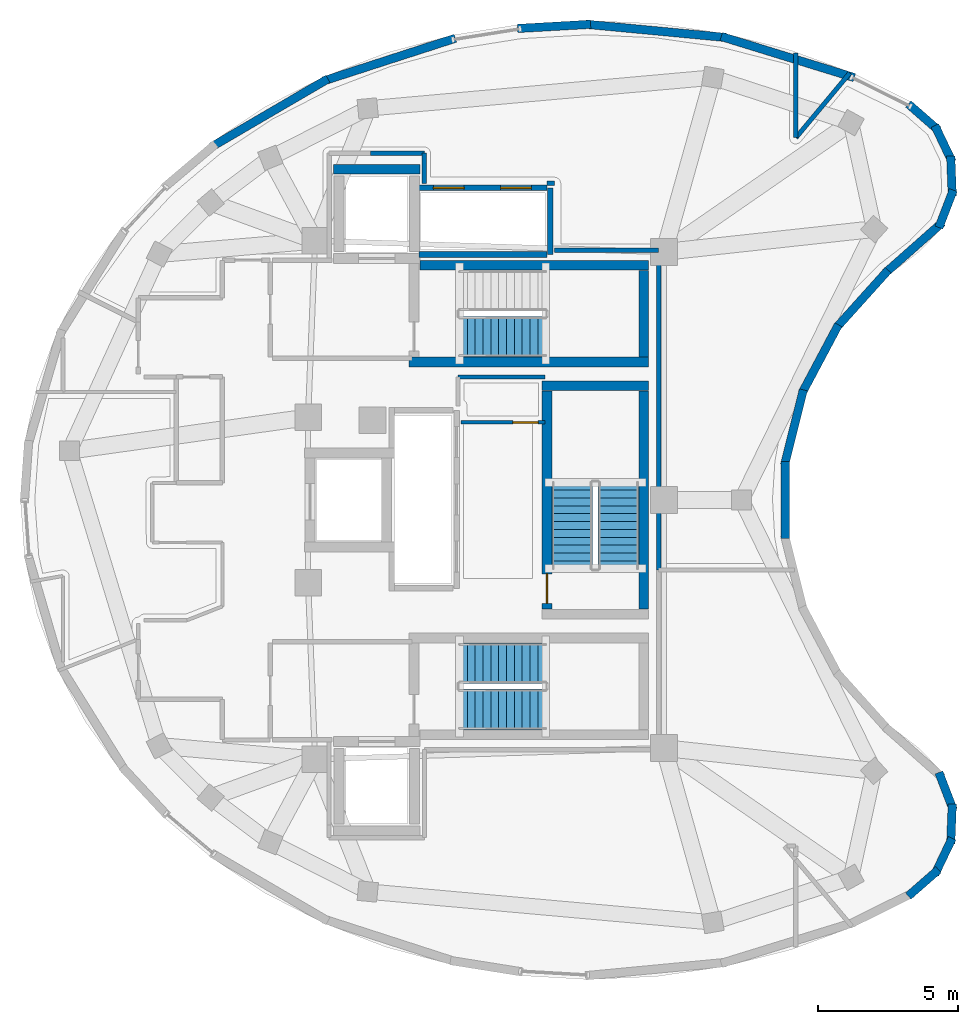
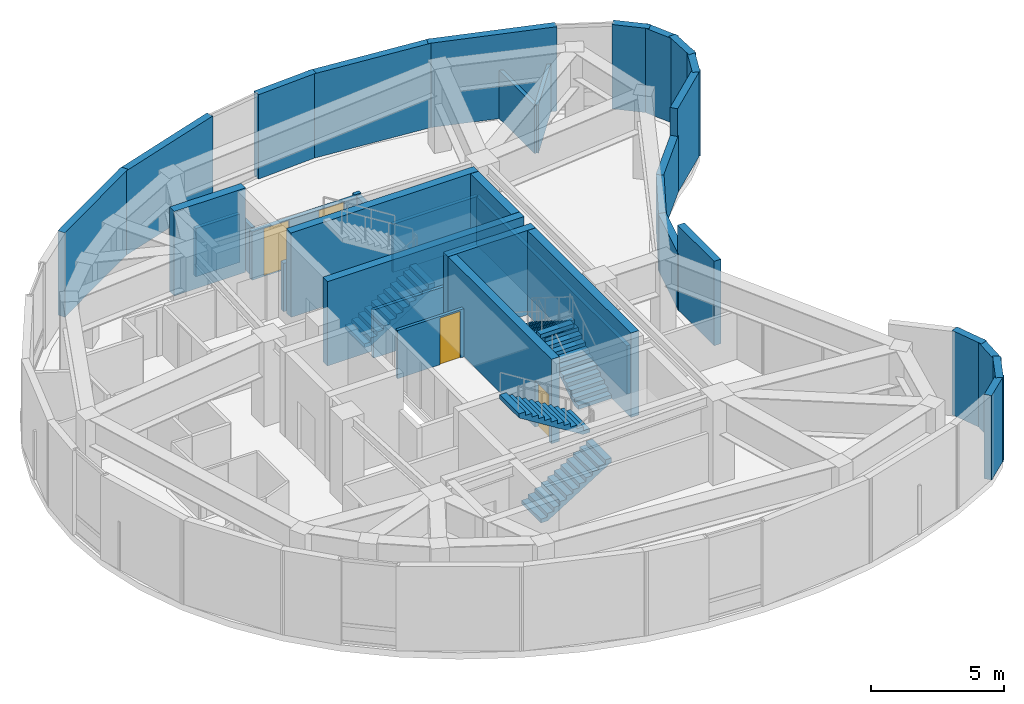
# One storey, part 5 of 8: 37 walls, 5 stair flights, 4 doors, 4 openings, 3 elements without a shape of their own.
"""IFC4 building model written with IfcOpenShell, lengths in metres."""

import ifcopenshell
import ifcopenshell.guid

model = None  # the IFC model being written
_history = None  # IfcOwnerHistory: only IFC2X3 demands one
_inside = {}  # id of a spatial element -> (the spatial element, [elements in it])
_under = {}  # id of a project, library or spatial element -> (it, [spatial elements below it])
_declared = {}  # id of a project -> (the project, [libraries it declares])
_typed = {}  # id of a type object -> (the type object, [elements of that type])
_made_of = {}  # id of a material, layer set ... -> (it, [elements and type objects made of it])


def new_model(schema):
    """Start an empty IFC model of exactly this schema.

    Asked for "IFC4X3", IfcOpenShell would pick the latest addendum, in which some entities
    have other attributes; the version numbers below select the first issue.
    IFC2X3 requires an IfcOwnerHistory on every rooted entity: one is made here for all.
    """
    global model, _history
    if schema == "IFC4X3":
        model = ifcopenshell.file(schema_version=(4, 3, 0, 0))
    else:
        model = ifcopenshell.file(schema=schema)
    _inside.clear()
    _under.clear()
    _declared.clear()
    _typed.clear()
    _made_of.clear()
    _history = None
    if model.schema == "IFC2X3":
        org = make("IfcOrganization", Name="unknown")
        user = make(
            "IfcPersonAndOrganization",
            ThePerson=make("IfcPerson", FamilyName="unknown"),
            TheOrganization=org,
        )
        app = make(
            "IfcApplication",
            ApplicationDeveloper=org,
            Version="unknown",
            ApplicationFullName="unknown",
            ApplicationIdentifier="unknown",
        )
        _history = make(
            "IfcOwnerHistory",
            OwningUser=user,
            OwningApplication=app,
            ChangeAction="ADDED",
            CreationDate=0,
        )
    return model


def make(cls, **values):
    """One entity of the class cls with the attributes given. An attribute that is None is left unset."""
    return model.create_entity(
        cls, **{name: value for name, value in values.items() if value is not None}
    )


def rooted(cls, **values):
    """An entity with a GlobalId (a new one), such as an element, a storey or a relation."""
    return make(cls, GlobalId=ifcopenshell.guid.new(), OwnerHistory=_history, **values)


def si_unit(unit_type, name, prefix=None):
    """IfcSIUnit, for example si_unit("LENGTHUNIT", "METRE", prefix="MILLI")."""
    return make("IfcSIUnit", UnitType=unit_type, Prefix=prefix, Name=name)


def assignment(units):
    """IfcUnitAssignment: the units of a project."""
    return None if units is None else make("IfcUnitAssignment", Units=units)


def point(xyz):
    """IfcCartesianPoint."""
    return None if xyz is None else make("IfcCartesianPoint", Coordinates=xyz)


def direction(xyz):
    """IfcDirection."""
    return None if xyz is None else make("IfcDirection", DirectionRatios=xyz)


def frame(location, z_axis=None, x_axis=None):
    """IfcAxis2Placement3D, a coordinate frame: its origin and axes. An axis left out is left unset."""
    return make(
        "IfcAxis2Placement3D",
        Location=point(location),
        Axis=direction(z_axis),
        RefDirection=direction(x_axis),
    )


def frame_2d(location, x_axis=None):
    """IfcAxis2Placement2D, a coordinate frame in the plane: its origin and x axis."""
    return make(
        "IfcAxis2Placement2D", Location=point(location), RefDirection=direction(x_axis)
    )


def origin():
    """The frame at (0, 0, 0) with its axes left unset."""
    return frame((0.0, 0.0, 0.0))


def place(relative_to, where):
    """IfcLocalPlacement: puts the frame where relative to a parent placement (None: the world)."""
    return make(
        "IfcLocalPlacement", PlacementRelTo=relative_to, RelativePlacement=where
    )


def context(
    kind, dimensions, precision=None, world=None, true_north=None, identifier=None
):
    """IfcGeometricRepresentationContext, for example the 3D "Model" context."""
    return make(
        "IfcGeometricRepresentationContext",
        ContextIdentifier=identifier,
        ContextType=kind,
        CoordinateSpaceDimension=dimensions,
        Precision=precision,
        WorldCoordinateSystem=world,
        TrueNorth=true_north,
    )


def subcontext(parent, identifier, kind, view, scale=None):
    """IfcGeometricRepresentationSubContext, for example "Body" below "Model"."""
    return make(
        "IfcGeometricRepresentationSubContext",
        ContextIdentifier=identifier,
        ContextType=kind,
        ParentContext=parent,
        TargetScale=scale,
        TargetView=view,
    )


def project(units=None, contexts=None):
    """IfcProject with its units and contexts."""
    return rooted(
        "IfcProject",
        Name="project",
        RepresentationContexts=contexts,
        UnitsInContext=assignment(units),
    )


def spatial(cls, under=None, at=None, **own):
    """A site, building, storey or space (cls), placed at a placement, below another one or the project."""
    s = rooted(cls, ObjectPlacement=at, **own)
    if under is not None:
        _under.setdefault(under.id(), (under, []))[1].append(s)
    return s


def polyline(points):
    """IfcPolyline through the points."""
    return make("IfcPolyline", Points=[point(p) for p in points])


def profile(cls, at=None, kind="AREA", **sizes):
    """A parametric profile (cls). Its sizes go by their IFC names, for example OverallWidth=200.0."""
    return make(cls, ProfileType=kind, Position=at, **sizes)


def rectangle(**sizes):
    """IfcRectangleProfileDef."""
    return profile("IfcRectangleProfileDef", **sizes)


def outline(outer, holes=None, kind="AREA"):
    """IfcArbitraryClosedProfileDef: a profile drawn as a closed curve; with holes, ...WithVoids."""
    if holes is None:
        return make("IfcArbitraryClosedProfileDef", ProfileType=kind, OuterCurve=outer)
    return make(
        "IfcArbitraryProfileDefWithVoids",
        ProfileType=kind,
        OuterCurve=outer,
        InnerCurves=holes,
    )


def extrude(swept, where, along, depth):
    """IfcExtrudedAreaSolid: the profile swept, set in the frame where, extruded along a direction by depth."""
    return make(
        "IfcExtrudedAreaSolid",
        SweptArea=swept,
        Position=where,
        ExtrudedDirection=direction(along),
        Depth=depth,
    )


def shape(context_of_items, identifier, shape_type, items):
    """IfcShapeRepresentation: the items that make up one representation, for example the "Body"."""
    return make(
        "IfcShapeRepresentation",
        ContextOfItems=context_of_items,
        RepresentationIdentifier=identifier,
        RepresentationType=shape_type,
        Items=items,
    )


def material(Name=None, Category=None):
    """IfcMaterial."""
    return make("IfcMaterial", Name=Name, Category=Category)


def layer(
    of_material, thickness, ventilated=None, Name=None, Category=None, Priority=None
):
    """IfcMaterialLayer: one layer of a wall or slab, of a material (None: an air gap)."""
    return make(
        "IfcMaterialLayer",
        Material=of_material,
        LayerThickness=thickness,
        IsVentilated=ventilated,
        Name=Name,
        Category=Category,
        Priority=Priority,
    )


def layer_set(layers, Name=None):
    """IfcMaterialLayerSet."""
    return make("IfcMaterialLayerSet", MaterialLayers=layers, LayerSetName=Name)


def made_of(thing, what):
    """Note that an element or type object is made of a material, layer set ...; save() writes the relation."""
    if what is not None:
        _made_of.setdefault(what.id(), (what, []))[1].append(thing)
    return thing


def type_object(cls, material=None, **own):
    """A type object (cls), such as IfcWallType, which elements share."""
    return made_of(rooted(cls, **own), material)


def element(
    cls,
    number,
    at=None,
    inside=None,
    cuts=None,
    type_object=None,
    material=None,
    context=None,
    identifier="Body",
    shape_type=None,
    held_by="IfcProductDefinitionShape",
    body=None,
    shapes=None,
    **own,
):
    """One element of the class cls, such as IfcWall. Its Tag is "e" and its number.

    at: its placement. inside: the storey or other place that contains it. cuts: it is an
    opening in that element (IfcRelVoidsElement). A single representation is given by context,
    identifier, shape_type and body (its items); several are given by shapes. held_by: the class
    of the entity that holds the representations. save() writes the other relations.
    """
    e = rooted(cls, Tag="e%d" % number, ObjectPlacement=at, **own)
    if body is not None:
        shapes = [shape(context, identifier, shape_type, body)]
    if shapes is not None:
        e.Representation = make(held_by, Representations=shapes)
    if inside is not None:
        _inside.setdefault(inside.id(), (inside, []))[1].append(e)
    if cuts is not None:
        rooted(
            "IfcRelVoidsElement", RelatingBuildingElement=cuts, RelatedOpeningElement=e
        )
    if type_object is not None:
        _typed.setdefault(type_object.id(), (type_object, []))[1].append(e)
    return made_of(e, material)


def fill(opening, filler):
    """IfcRelFillsElement: the door or window that sits in an opening."""
    return rooted(
        "IfcRelFillsElement",
        RelatingOpeningElement=opening,
        RelatedBuildingElement=filler,
    )


def aggregate(whole, parts):
    """IfcRelAggregates: a whole, such as a stair, and the parts it consists of."""
    return rooted("IfcRelAggregates", RelatingObject=whole, RelatedObjects=parts)


def save(model, path):
    """Write the relations noted so far, then the file.

    IfcRelAggregates (storeys below a building ...), IfcRelContainedInSpatialStructure (elements
    in a storey), IfcRelDefinesByType, IfcRelAssociatesMaterial and IfcRelDeclares: one each for
    every whole, place, type object, material and project.
    """
    for whole, parts in _under.values():
        aggregate(whole, parts)
    for where, things in _inside.values():
        rooted(
            "IfcRelContainedInSpatialStructure",
            RelatedElements=things,
            RelatingStructure=where,
        )
    for kind, things in _typed.values():
        rooted("IfcRelDefinesByType", RelatedObjects=things, RelatingType=kind)
    for what, things in _made_of.values():
        rooted("IfcRelAssociatesMaterial", RelatedObjects=things, RelatingMaterial=what)
    for by, libraries in _declared.values():
        rooted("IfcRelDeclares", RelatingContext=by, RelatedDefinitions=libraries)
    model.write(path)


model = new_model("IFC4")

# Units and contexts
model_context = context("Model", 3, precision=1e-05, world=origin(), true_north=direction((0.0, 1.0)))
body_context = subcontext(model_context, "Body", "Model", "MODEL_VIEW")
ifc_project = project(units=[si_unit("LENGTHUNIT", "METRE"), si_unit("AREAUNIT", "SQUARE_METRE"), si_unit("VOLUMEUNIT", "CUBIC_METRE"), si_unit("PLANEANGLEUNIT", "RADIAN"), si_unit("MASSUNIT", "GRAM", prefix="KILO")], contexts=[model_context])

# Site, building, storey
site_placement = place(None, origin())
site = spatial("IfcSite", under=ifc_project, at=site_placement, CompositionType="ELEMENT")
building_placement = place(site_placement, origin())
building = spatial("IfcBuilding", under=site, at=building_placement, Name="Korentha Bioscience Tower", CompositionType="ELEMENT")
storey_placement = place(building_placement, frame((0.0, 0.0, 331.199951171875)))
storey = spatial("IfcBuildingStorey", under=building, at=storey_placement, Name="L76", CompositionType="ELEMENT", Elevation=331.199951171875)

# Walls
ifc_material_1 = material(Name="Gypsum-Clad Steel Stud", Category="steel")
ifc_layer_1 = layer(ifc_material_1, 0.159912109375, Name="Gypsum-Clad Steel Stud")
ifc_layer_set_1 = layer_set([ifc_layer_1], Name="Gypsum-Clad Steel Stud (IW-C160)")
wall_type_1 = type_object("IfcWallType", Name="Fire-Rated Corridor Partition Wall 160", PredefinedType="PARTITIONING", material=ifc_layer_set_1)
wall_1_placement = place(storey_placement, frame((42.248046875, 42.947021484375, 0.0), z_axis=(0.0, 0.0, 1.0), x_axis=(0.0, -1.0, 0.0)))
element("IfcWall", 1, at=wall_1_placement, inside=storey, type_object=wall_type_1, Name="L76 Interior Partition 039", PredefinedType="PARTITIONING", context=body_context, shape_type="SweptSolid", body=[
    extrude(rectangle(XDim=3.019775390625, YDim=0.159912109375, at=frame_2d((1.509765625, 0.0))), origin(), (0.0, 0.0, 1.0), 2.219970703125),
])
wall_2_placement = place(storey_placement, frame((42.255126953125, 39.924560546875, 0.0), z_axis=(0.0, 0.0, 1.0), x_axis=(0.640088675133, 0.768301039936, 0.0)))
element("IfcWall", 2, at=wall_2_placement, inside=storey, type_object=wall_type_1, Name="L76 Interior Partition 040", PredefinedType="PARTITIONING", context=body_context, shape_type="SweptSolid", body=[
    extrude(rectangle(XDim=3.010498046875, YDim=0.159912109375, at=frame_2d((1.50537109375, 0.0))), origin(), (0.0, 0.0, 1.0), 2.219970703125),
])
wall_3_placement = place(storey_placement, frame((37.360107421875, 24.508056640625, 0.0), z_axis=(0.0, 0.0, 1.0), x_axis=(0.0, 1.0, 0.0)))
element("IfcWall", 3, at=wall_3_placement, inside=storey, type_object=wall_type_1, Name="L76 Interior Partition 041", PredefinedType="PARTITIONING", context=body_context, shape_type="SweptSolid", body=[
    extrude(rectangle(XDim=11.391845703125, YDim=0.159912109375, at=frame_2d((5.69580078125, 0.0))), origin(), (0.0, 0.0, 1.0), 2.219970703125),
])
wall_4_placement = place(storey_placement, frame((37.35009765625, 35.909912109375, 0.0), z_axis=(0.0, 0.0, 1.0), x_axis=(-1.0, 0.0, 0.0)))
element("IfcWall", 4, at=wall_4_placement, inside=storey, type_object=wall_type_1, Name="L76 Interior Partition 042", PredefinedType="PARTITIONING", context=body_context, shape_type="SweptSolid", body=[
    extrude(rectangle(XDim=3.7001953125, YDim=0.159912109375, at=frame_2d((1.85009765625, 0.0))), origin(), (0.0, 0.0, 1.0), 2.219970703125),
])
wall_5_placement = place(storey_placement, frame((33.639892578125, 38.300048828125, 0.0), z_axis=(0.0, 0.0, 1.0), x_axis=(-1.0, 0.0, 0.0)))
element("IfcWall", 5, at=wall_5_placement, inside=storey, type_object=wall_type_1, Name="L76 Interior Partition 043", PredefinedType="PARTITIONING", context=body_context, shape_type="SweptSolid", body=[
    extrude(rectangle(XDim=0.269775390625, YDim=0.159912109375, at=frame_2d((0.134765625, 0.0))), origin(), (0.0, 0.0, 1.0), 2.219970703125),
])
wall_6_placement = place(storey_placement, frame((29.0, 38.300048828125, 0.0), z_axis=(0.0, 0.0, 1.0), x_axis=(0.0, 1.0, 0.0)))
element("IfcWall", 6, at=wall_6_placement, inside=storey, type_object=wall_type_1, Name="L76 Interior Partition 044", PredefinedType="PARTITIONING", context=body_context, shape_type="SweptSolid", body=[
    extrude(rectangle(XDim=1.075927734375, YDim=0.159912109375, at=frame_2d((0.5380859375, 0.0))), origin(), (0.0, 0.0, 1.0), 2.219970703125),
])
wall_7_placement = place(storey_placement, frame((28.995849609375, 39.3798828125, 0.0), z_axis=(0.0, 0.0, 1.0), x_axis=(-1.0, 0.0, 0.0)))
element("IfcWall", 7, at=wall_7_placement, inside=storey, type_object=wall_type_1, Name="L76 Interior Partition 045", PredefinedType="PARTITIONING", context=body_context, shape_type="SweptSolid", body=[
    extrude(rectangle(XDim=1.917724609375, YDim=0.159912109375, at=frame_2d((0.958984375, 0.0))), origin(), (0.0, 0.0, 1.0), 2.219970703125),
])
ifc_material_2 = material(Name="Honed Limestone Precast Concrete C40", Category="masonry")
ifc_layer_2 = layer(ifc_material_2, 0.300048828125, Name="Honed Limestone Precast Concrete C40")
ifc_layer_set_2 = layer_set([ifc_layer_2], Name="Honed Limestone Precast Concrete C40 (EW-ST300)")
wall_type_2 = type_object("IfcWallType", Name="Honed Limestone Cavity Spandrel Wall 300", PredefinedType="STANDARD", material=ifc_layer_set_2)
wall_8_placement = place(storey_placement, frame((44.34130859375, 42.072509765625, 0.0), z_axis=(0.0, 0.0, 1.0), x_axis=(-0.9554928178, 0.295014364281, 0.0)))
element("IfcWall", 8, at=wall_8_placement, inside=storey, type_object=wall_type_2, Name="L76 Limestone Perimeter Closure Wall 02", PredefinedType="STANDARD", context=body_context, shape_type="SweptSolid", body=[
    extrude(rectangle(XDim=4.969482421875, YDim=0.300048828125, at=frame_2d((2.48486328125, 0.0))), origin(), (0.0, 0.0, 1.0), 3.880126953125),
])
wall_9_placement = place(storey_placement, frame((39.777099609375, 43.501953125, 0.0), z_axis=(0.0, 0.0, 1.0), x_axis=(-0.995548134252, 0.094254508581, 0.0)))
element("IfcWall", 9, at=wall_9_placement, inside=storey, type_object=wall_type_2, Name="L76 Limestone Perimeter Closure Wall 04", PredefinedType="STANDARD", context=body_context, shape_type="SweptSolid", body=[
    extrude(rectangle(XDim=5.04833984375, YDim=0.300048828125, at=frame_2d((2.524169921875, 0.0))), origin(), (0.0, 0.0, 1.0), 3.880126953125),
])
wall_10_placement = place(storey_placement, frame((34.931884765625, 43.974365234375, 0.0), z_axis=(0.0, 0.0, 1.0), x_axis=(-0.998377869866, -0.056935305061, 0.0)))
element("IfcWall", 10, at=wall_10_placement, inside=storey, type_object=wall_type_2, Name="L76 Limestone Perimeter Closure Wall 06", PredefinedType="STANDARD", context=body_context, shape_type="SweptSolid", body=[
    extrude(rectangle(XDim=2.611328125, YDim=0.300048828125, at=frame_2d((1.3056640625, 0.0))), origin(), (0.0, 0.0, 1.0), 3.880126953125),
])
wall_11_placement = place(storey_placement, frame((30.105712890625, 43.47705078125, 0.0), z_axis=(0.0, 0.0, 1.0), x_axis=(-0.951426715333, -0.307875308122, 0.0)))
element("IfcWall", 11, at=wall_11_placement, inside=storey, type_object=wall_type_2, Name="L76 Limestone Perimeter Closure Wall 08", PredefinedType="STANDARD", context=body_context, shape_type="SweptSolid", body=[
    extrude(rectangle(XDim=4.961669921875, YDim=0.300048828125, at=frame_2d((2.48095703125, 0.0))), origin(), (0.0, 0.0, 1.0), 3.880126953125),
])
wall_12_placement = place(storey_placement, frame((25.5576171875, 42.026611328125, 0.0), z_axis=(0.0, 0.0, 1.0), x_axis=(-0.863401501791, -0.504517439446, 0.0)))
element("IfcWall", 12, at=wall_12_placement, inside=storey, type_object=wall_type_2, Name="L76 Limestone Perimeter Closure Wall 10", PredefinedType="STANDARD", context=body_context, shape_type="SweptSolid", body=[
    extrude(rectangle(XDim=4.81298828125, YDim=0.300048828125, at=frame_2d((2.406494140625, 0.0))), origin(), (0.0, 0.0, 1.0), 3.880126953125),
])
for number, where, z_axis, x_axis, name in (
    (13, (46.266357421875, 12.867919921875, 0.0), (0.0, 0.0, 1.0), (0.753189451844, 0.657803655836, 0.0), "L76 Limestone Perimeter Closure Wall 37"),
    (14, (47.215087890625, 13.63916015625, 0.0), (0.0, 0.0, 1.0), (0.431377001438, 0.902171758941, 0.0), "L76 Limestone Perimeter Closure Wall 38"),
):
    element("IfcWall", number, at=place(storey_placement, frame(where, z_axis=z_axis, x_axis=x_axis)), inside=storey, type_object=wall_type_2, Name=name, PredefinedType="STANDARD", context=body_context, shape_type="SweptSolid", body=[
        extrude(rectangle(XDim=1.4306640625, YDim=0.300048828125, at=frame_2d((0.71533203125, 0.0))), origin(), (0.0, 0.0, 1.0), 3.880126953125),
    ])
wall_13_placement = place(storey_placement, frame((47.781005859375, 14.722900390625, 0.0), z_axis=(0.0, 0.0, 1.0), x_axis=(0.039416066668, 0.99922288489, 0.0)))
element("IfcWall", 15, at=wall_13_placement, inside=storey, type_object=wall_type_2, Name="L76 Limestone Perimeter Closure Wall 39", PredefinedType="STANDARD", context=body_context, shape_type="SweptSolid", body=[
    extrude(rectangle(XDim=1.430908203125, YDim=0.300048828125, at=frame_2d((0.71533203125, 0.0))), origin(), (0.0, 0.0, 1.0), 3.880126953125),
])
wall_14_placement = place(storey_placement, frame((47.872314453125, 15.942138671875, 0.0), z_axis=(0.0, 0.0, 1.0), x_axis=(-0.359207768044, 0.933257616833, 0.0)))
element("IfcWall", 16, at=wall_14_placement, inside=storey, type_object=wall_type_2, Name="L76 Limestone Perimeter Closure Wall 40", PredefinedType="STANDARD", context=body_context, shape_type="SweptSolid", body=[
    extrude(rectangle(XDim=1.4306640625, YDim=0.300048828125, at=frame_2d((0.71533203125, 0.0))), origin(), (0.0, 0.0, 1.0), 3.880126953125),
])
wall_15_placement = place(storey_placement, frame((41.86962890625, 25.620849609375, 0.0), z_axis=(0.0, 0.0, 1.0), x_axis=(0.0, 1.0, 0.0)))
element("IfcWall", 17, at=wall_15_placement, inside=storey, type_object=wall_type_2, Name="L76 Limestone Perimeter Closure Wall 49", PredefinedType="STANDARD", context=body_context, shape_type="SweptSolid", body=[
    extrude(rectangle(XDim=2.75830078125, YDim=0.300048828125, at=frame_2d((1.379150390625, 0.0))), origin(), (0.0, 0.0, 1.0), 3.880126953125),
])
wall_16_placement = place(storey_placement, frame((41.8544921875, 28.25537109375, 0.0), z_axis=(0.0, 0.0, 1.0), x_axis=(0.241973315743, 0.970282904347, 0.0)))
element("IfcWall", 18, at=wall_16_placement, inside=storey, type_object=wall_type_2, Name="L76 Limestone Perimeter Closure Wall 51", PredefinedType="STANDARD", context=body_context, shape_type="SweptSolid", body=[
    extrude(rectangle(XDim=2.758544921875, YDim=0.300048828125, at=frame_2d((1.37939453125, 0.0))), origin(), (0.0, 0.0, 1.0), 2.60498046875),
])
for number, where, z_axis, x_axis, name in (
    (19, (42.477294921875, 30.815673828125, 0.0), (0.0, 0.0, 1.0), (0.46944856532, 0.882959820444, 0.0), "L76 Limestone Perimeter Closure Wall 53"),
    (20, (43.70068359375, 33.149169921875, 0.0), (0.0, 0.0, 1.0), (0.669140756205, 0.743135686389, 0.0), "L76 Limestone Perimeter Closure Wall 55"),
):
    element("IfcWall", number, at=place(storey_placement, frame(where, z_axis=z_axis, x_axis=x_axis)), inside=storey, type_object=wall_type_2, Name=name, PredefinedType="STANDARD", context=body_context, shape_type="SweptSolid", body=[
        extrude(rectangle(XDim=2.75830078125, YDim=0.300048828125, at=frame_2d((1.379150390625, 0.0))), origin(), (0.0, 0.0, 1.0), 2.60498046875),
    ])
wall_17_placement = place(storey_placement, frame((45.4443359375, 35.09765625, 0.0), z_axis=(0.0, 0.0, 1.0), x_axis=(0.748663112281, 0.662950634897, 0.0)))
element("IfcWall", 21, at=wall_17_placement, inside=storey, type_object=wall_type_2, Name="L76 Limestone Perimeter Closure Wall 57", PredefinedType="STANDARD", context=body_context, shape_type="SweptSolid", body=[
    extrude(rectangle(XDim=2.725830078125, YDim=0.300048828125, at=frame_2d((1.36279296875, 0.0))), origin(), (0.0, 0.0, 1.0), 3.880126953125),
])
wall_18_placement = place(storey_placement, frame((47.3583984375, 36.72265625, 0.0), z_axis=(0.0, 0.0, 1.0), x_axis=(0.359207768044, 0.933257616833, 0.0)))
element("IfcWall", 22, at=wall_18_placement, inside=storey, type_object=wall_type_2, Name="L76 Limestone Perimeter Closure Wall 59", PredefinedType="STANDARD", context=body_context, shape_type="SweptSolid", body=[
    extrude(rectangle(XDim=1.4306640625, YDim=0.300048828125, at=frame_2d((0.71533203125, 0.0))), origin(), (0.0, 0.0, 1.0), 3.880126953125),
])
wall_19_placement = place(storey_placement, frame((47.83740234375, 37.847412109375, 0.0), z_axis=(0.0, 0.0, 1.0), x_axis=(-0.039416066668, 0.99922288489, 0.0)))
element("IfcWall", 23, at=wall_19_placement, inside=storey, type_object=wall_type_2, Name="L76 Limestone Perimeter Closure Wall 60", PredefinedType="STANDARD", context=body_context, shape_type="SweptSolid", body=[
    extrude(rectangle(XDim=1.430908203125, YDim=0.300048828125, at=frame_2d((0.71533203125, 0.0))), origin(), (0.0, 0.0, 1.0), 3.880126953125),
])
for number, where, z_axis, x_axis, name in (
    (24, (47.832275390625, 39.070068359375, 0.0), (0.0, 0.0, 1.0), (-0.431377001438, 0.902171758941, 0.0), "L76 Limestone Perimeter Closure Wall 61"),
    (25, (47.343994140625, 40.19091796875, 0.0), (0.0, 0.0, 1.0), (-0.753189451844, 0.657803655836, 0.0), "L76 Limestone Perimeter Closure Wall 62"),
):
    element("IfcWall", number, at=place(storey_placement, frame(where, z_axis=z_axis, x_axis=x_axis)), inside=storey, type_object=wall_type_2, Name=name, PredefinedType="STANDARD", context=body_context, shape_type="SweptSolid", body=[
        extrude(rectangle(XDim=1.4306640625, YDim=0.300048828125, at=frame_2d((0.71533203125, 0.0))), origin(), (0.0, 0.0, 1.0), 3.880126953125),
    ])
ifc_material_3 = material(Name="Autoclaved Aerated Concrete Block C25", Category="concrete")
ifc_layer_3 = layer(ifc_material_3, 0.199951171875, Name="Autoclaved Aerated Concrete Block C25")
ifc_layer_set_3 = layer_set([ifc_layer_3], Name="Autoclaved Aerated Concrete Block C25 (IW-S200)")
wall_type_3 = type_object("IfcWallType", Name="Lift and Riser Shaft Enclosure Wall 200", PredefinedType="PARTITIONING", material=ifc_layer_set_3)
wall_20_placement = place(storey_placement, frame((33.489990234375, 35.760009765625, 0.0), z_axis=(0.0, 0.0, 1.0), x_axis=(0.0, 1.0, 0.0)))
element("IfcWall", 26, at=wall_20_placement, inside=storey, type_object=wall_type_3, Name="L76 Lift Bank OBS Shaft Wall +X", PredefinedType="PARTITIONING", context=body_context, shape_type="SweptSolid", body=[
    extrude(rectangle(XDim=2.3798828125, YDim=0.199951171875, at=frame_2d((1.18994140625, 0.0))), origin(), (0.0, 0.0, 1.0), 2.219970703125),
])
wall_21_placement = place(storey_placement, frame((28.800048828125, 35.760009765625, 0.0), z_axis=(0.0, 0.0, 1.0), x_axis=(1.0, 0.0, 0.0)))
element("IfcWall", 27, at=wall_21_placement, inside=storey, type_object=wall_type_3, Name="L76 Lift Bank OBS Shaft Wall -Y", PredefinedType="PARTITIONING", context=body_context, shape_type="SweptSolid", body=[
    extrude(rectangle(XDim=4.570068359375, YDim=0.199951171875, at=frame_2d((2.28515625, 0.0))), origin(), (0.0, 0.0, 1.0), 2.219970703125),
])

# Wall, openings, doors
wall_22_placement = place(storey_placement, frame((28.800048828125, 38.139892578125, 0.0), z_axis=(0.0, 0.0, 1.0), x_axis=(1.0, 0.0, 0.0)))
wall_22 = element("IfcWall", 28, at=wall_22_placement, inside=storey, type_object=wall_type_3, Name="L76 Lift Bank OBS Shaft Wall +Y", PredefinedType="PARTITIONING", context=body_context, shape_type="SweptSolid", body=[
    extrude(rectangle(XDim=4.570068359375, YDim=0.199951171875, at=frame_2d((2.28515625, 0.0))), origin(), (0.0, 0.0, 1.0), 2.219970703125),
])
opening_1_placement = place(wall_22_placement, frame((0.52001953125, 0.0, 0.0)))
opening_1 = element("IfcOpeningElement", 29, at=opening_1_placement, cuts=wall_22, Name="Opening LD-11", PredefinedType="OPENING", context=body_context, shape_type="SweptSolid", body=[
    extrude(rectangle(XDim=1.10009765625, YDim=2.199951171875, at=frame_2d((0.550048828125, 1.10009765625))), frame((0.0, 0.11474609375, 0.0), z_axis=(0.0, -1.0, 0.0), x_axis=(1.0, 0.0, 0.0)), (0.0, 0.0, 1.0), 0.229736328125),
])
opening_2_placement = place(wall_22_placement, frame((2.919921875, 0.0, 0.0)))
opening_2 = element("IfcOpeningElement", 30, at=opening_2_placement, cuts=wall_22, Name="Opening LD-11", PredefinedType="OPENING", context=body_context, shape_type="SweptSolid", body=[
    extrude(rectangle(XDim=1.10009765625, YDim=2.199951171875, at=frame_2d((0.550048828125, 1.10009765625))), frame((0.0, 0.11474609375, 0.0), z_axis=(0.0, -1.0, 0.0), x_axis=(1.0, 0.0, 0.0)), (0.0, 0.0, 1.0), 0.229736328125),
])
ifc_material_4 = material(Name="Brushed Stainless Steel 304", Category="steel")
door_type_1 = type_object("IfcDoorType", Name="Passenger Lift Sliding Landing Door 1100x2200", OperationType="DOUBLE_DOOR_SLIDING", PredefinedType="DOOR", material=ifc_material_4)
door_1_placement = place(opening_1_placement, origin())
door_1 = element("IfcDoor", 31, at=door_1_placement, inside=storey, type_object=door_type_1, Name="L76 PL-X1 Sliding Lift Landing Door", OperationType="DOUBLE_DOOR_SLIDING", OverallHeight=2.199951171875, OverallWidth=1.10009765625, PredefinedType="DOOR", context=body_context, shape_type="SweptSolid", body=[
    extrude(rectangle(XDim=1.10009765625, YDim=2.199951171875, at=frame_2d((0.550048828125, 1.10009765625))), frame((0.0, 0.02490234375, 0.0), z_axis=(0.0, -1.0, 0.0), x_axis=(1.0, 0.0, 0.0)), (0.0, 0.0, 1.0), 0.050048828125),
])
fill(opening_1, door_1)
door_2_placement = place(opening_2_placement, origin())
door_2 = element("IfcDoor", 32, at=door_2_placement, inside=storey, type_object=door_type_1, Name="L76 PL-X2 Sliding Lift Landing Door", OperationType="DOUBLE_DOOR_SLIDING", OverallHeight=2.199951171875, OverallWidth=1.10009765625, PredefinedType="DOOR", context=body_context, shape_type="SweptSolid", body=[
    extrude(rectangle(XDim=1.10009765625, YDim=2.199951171875, at=frame_2d((0.550048828125, 1.10009765625))), frame((0.0, 0.02490234375, 0.0), z_axis=(0.0, -1.0, 0.0), x_axis=(1.0, 0.0, 0.0)), (0.0, 0.0, 1.0), 0.050048828125),
])
fill(opening_2, door_2)

# Walls
ifc_material_5 = material(Name="Concrete C50", Category="concrete")
ifc_layer_4 = layer(ifc_material_5, 0.35009765625, Name="Concrete C50")
ifc_layer_set_4 = layer_set([ifc_layer_4], Name="Concrete C50 (CW-C50)")
wall_type_4 = type_object("IfcWallType", Name="Upper Core Shear Wall 350", PredefinedType="SHEAR", material=ifc_layer_set_4)
wall_23_placement = place(storey_placement, frame((28.85205078125, 35.375, 0.0), z_axis=(0.0, 0.0, 1.0), x_axis=(1.0, 0.0, 0.0)))
element("IfcWall", 33, at=wall_23_placement, inside=storey, type_object=wall_type_4, Name="L76 Core Shear Wall ST1-N", PredefinedType="SHEAR", context=body_context, shape_type="SweptSolid", body=[
    extrude(rectangle(XDim=8.14794921875, YDim=0.35009765625, at=frame_2d((4.073974609375, 0.0))), origin(), (0.0, 0.0, 1.0), 3.880126953125),
])
wall_24_placement = place(storey_placement, frame((28.449951171875, 31.925048828125, 0.0), z_axis=(0.0, 0.0, 1.0), x_axis=(1.0, 0.0, 0.0)))
element("IfcWall", 34, at=wall_24_placement, inside=storey, type_object=wall_type_4, Name="L76 Core Shear Wall ST1-S", PredefinedType="SHEAR", context=body_context, shape_type="SweptSolid", body=[
    extrude(rectangle(XDim=8.550048828125, YDim=0.35009765625, at=frame_2d((4.27490234375, 0.0))), origin(), (0.0, 0.0, 1.0), 3.880126953125),
])
wall_25_placement = place(storey_placement, frame((36.824951171875, 32.110107421875, 0.0), z_axis=(0.0, 0.0, 1.0), x_axis=(0.0, 1.0, 0.0)))
element("IfcWall", 35, at=wall_25_placement, inside=storey, type_object=wall_type_4, Name="L76 Core Shear Wall ST1-E", PredefinedType="SHEAR", context=body_context, shape_type="SweptSolid", body=[
    extrude(rectangle(XDim=3.079833984375, YDim=0.35009765625, at=frame_2d((1.5400390625, 0.0))), origin(), (0.0, 0.0, 1.0), 3.880126953125),
])
wall_26_placement = place(storey_placement, frame((33.199951171875, 31.074951171875, 0.0), z_axis=(0.0, 0.0, 1.0), x_axis=(1.0, 0.0, 0.0)))
element("IfcWall", 36, at=wall_26_placement, inside=storey, type_object=wall_type_4, Name="L76 Core Shear Wall ST3-N", PredefinedType="SHEAR", context=body_context, shape_type="SweptSolid", body=[
    extrude(rectangle(XDim=3.800048828125, YDim=0.35009765625, at=frame_2d((1.89990234375, 0.0))), origin(), (0.0, 0.0, 1.0), 3.880126953125),
])
wall_27_placement = place(storey_placement, frame((36.824951171875, 23.110107421875, 0.0), z_axis=(0.0, 0.0, 1.0), x_axis=(0.0, 1.0, 0.0)))
element("IfcWall", 37, at=wall_27_placement, inside=storey, type_object=wall_type_4, Name="L76 Core Shear Wall ST3-E", PredefinedType="SHEAR", context=body_context, shape_type="SweptSolid", body=[
    extrude(rectangle(XDim=7.77978515625, YDim=0.35009765625, at=frame_2d((3.889892578125, 0.0))), origin(), (0.0, 0.0, 1.0), 3.880126953125),
])

# Wall, opening, door
wall_28_placement = place(storey_placement, frame((33.375, 23.110107421875, 0.0), z_axis=(0.0, 0.0, 1.0), x_axis=(0.0, 1.0, 0.0)))
wall_28 = element("IfcWall", 38, at=wall_28_placement, inside=storey, type_object=wall_type_4, Name="L76 Core Shear Wall ST3-W", PredefinedType="SHEAR", context=body_context, shape_type="SweptSolid", body=[
    extrude(rectangle(XDim=7.77978515625, YDim=0.35009765625, at=frame_2d((3.889892578125, 0.0))), origin(), (0.0, 0.0, 1.0), 3.880126953125),
])
opening_3_placement = place(wall_28_placement, frame((0.199951171875, 0.0, 0.0)))
opening_3 = element("IfcOpeningElement", 39, at=opening_3_placement, cuts=wall_28, Name="Opening FD-90L", PredefinedType="OPENING", context=body_context, shape_type="SweptSolid", body=[
    extrude(rectangle(XDim=1.050048828125, YDim=2.14990234375, at=frame_2d((0.52490234375, 1.074951171875))), frame((0.0, 0.18994140625, 0.0), z_axis=(0.0, -1.0, 0.0), x_axis=(1.0, 0.0, 0.0)), (0.0, 0.0, 1.0), 0.3798828125),
])
ifc_material_6 = material(Name="Powder-Coated Fire-Rated Steel", Category="steel")
door_type_2 = type_object("IfcDoorType", Name="Stairwell Fire Exit Door 1050x2150 Left", OperationType="SINGLE_SWING_LEFT", PredefinedType="DOOR", material=ifc_material_6)
door_3_placement = place(opening_3_placement, origin())
door_3 = element("IfcDoor", 40, at=door_3_placement, inside=storey, type_object=door_type_2, Name="L76 ST-3 Fire Exit Stair Door", OperationType="SINGLE_SWING_LEFT", OverallHeight=2.14990234375, OverallWidth=1.050048828125, PredefinedType="DOOR", context=body_context, shape_type="SweptSolid", body=[
    extrude(rectangle(XDim=1.050048828125, YDim=2.14990234375, at=frame_2d((0.52490234375, 1.074951171875))), frame((0.0, 0.02490234375, 0.0), z_axis=(0.0, -1.0, 0.0), x_axis=(1.0, 0.0, 0.0)), (0.0, 0.0, 1.0), 0.050048828125),
])
fill(opening_3, door_3)

# Wall
wall_29_placement = place(storey_placement, frame((25.75, 38.800048828125, 0.0), z_axis=(0.0, 0.0, 1.0), x_axis=(1.0, 0.0, 0.0)))
element("IfcWall", 41, at=wall_29_placement, inside=storey, type_object=wall_type_4, Name="L76 Core Shear Wall FFL2-N", PredefinedType="SHEAR", context=body_context, shape_type="SweptSolid", body=[
    extrude(rectangle(XDim=3.10009765625, YDim=0.35009765625, at=frame_2d((1.550048828125, 0.0))), origin(), (0.0, 0.0, 1.0), 3.880126953125),
])

# Wall, opening, door
ifc_material_7 = material(Name="Cement-Board Steel Stud", Category="steel")
ifc_layer_5 = layer(ifc_material_7, 0.1298828125, Name="Cement-Board Steel Stud")
ifc_layer_set_5 = layer_set([ifc_layer_5], Name="Cement-Board Steel Stud (IW-W130)")
wall_type_5 = type_object("IfcWallType", Name="Wet-Area Moisture-Resistant Partition 130", PredefinedType="PARTITIONING", material=ifc_layer_set_5)
wall_30_placement = place(storey_placement, frame((33.300048828125, 29.77001953125, 0.0), z_axis=(0.0, 0.0, 1.0), x_axis=(-1.0, 0.0, 0.0)))
wall_30 = element("IfcWall", 42, at=wall_30_placement, inside=storey, type_object=wall_type_5, Name="L76 Accessible Staff WC Entrance Wall", PredefinedType="PARTITIONING", context=body_context, shape_type="SweptSolid", body=[
    extrude(rectangle(XDim=2.989990234375, YDim=0.1298828125, at=frame_2d((1.4951171875, 0.0))), origin(), (0.0, 0.0, 1.0), 2.219970703125),
])
opening_4_placement = place(wall_30_placement, frame((0.239990234375, 0.0, 0.0)))
opening_4 = element("IfcOpeningElement", 43, at=opening_4_placement, cuts=wall_30, Name="Opening ID-09L", PredefinedType="OPENING", context=body_context, shape_type="SweptSolid", body=[
    extrude(rectangle(XDim=0.89990234375, YDim=2.14990234375, at=frame_2d((0.449951171875, 1.074951171875))), frame((0.0, 0.079833984375, 0.0), z_axis=(0.0, -1.0, 0.0), x_axis=(1.0, 0.0, 0.0)), (0.0, 0.0, 1.0), 0.15966796875),
])
ifc_material_8 = material(Name="Moisture-Resistant HPL Leaf", Category="wood")
door_type_3 = type_object("IfcDoorType", Name="Restroom & Accessible WC Door 900x2150 Left", OperationType="SINGLE_SWING_LEFT", PredefinedType="DOOR", material=ifc_material_8)
door_4_placement = place(opening_4_placement, origin())
door_4 = element("IfcDoor", 44, at=door_4_placement, inside=storey, type_object=door_type_3, Name="L76 Accessible Staff WC Door", OperationType="SINGLE_SWING_LEFT", OverallHeight=2.14990234375, OverallWidth=0.89990234375, PredefinedType="DOOR", context=body_context, shape_type="SweptSolid", body=[
    extrude(rectangle(XDim=0.89990234375, YDim=2.14990234375, at=frame_2d((0.449951171875, 1.074951171875))), frame((0.0, 0.02490234375, 0.0), z_axis=(0.0, -1.0, 0.0), x_axis=(1.0, 0.0, 0.0)), (0.0, 0.0, 1.0), 0.050048828125),
])
fill(opening_4, door_4)

# Wall
wall_31_placement = place(storey_placement, frame((30.199951171875, 31.389892578125, 0.0), z_axis=(0.0, 0.0, 1.0), x_axis=(1.0, 0.0, 0.0)))
element("IfcWall", 45, at=wall_31_placement, inside=storey, type_object=wall_type_5, Name="L76 Interior Partition 007", PredefinedType="PARTITIONING", context=body_context, shape_type="SweptSolid", body=[
    extrude(rectangle(XDim=3.10009765625, YDim=0.1298828125, at=frame_2d((1.550048828125, 0.0))), origin(), (0.0, 0.0, 1.0), 2.219970703125),
])

# Stair, stair flight
ifc_material_9 = material(Name="Precast Concrete C50", Category="concrete")
stair_type = type_object("IfcStairType", Name="Core Exit Dog-Leg Stair 1450", PredefinedType="HALF_TURN_STAIR", material=ifc_material_9)
stair_1_placement = place(storey_placement, origin())
stair_1 = element("IfcStair", 46, at=stair_1_placement, inside=storey, type_object=stair_type, Name="L76 Tower North Pressurized Exit Stair ST-1", PredefinedType="HALF_TURN_STAIR")
stair_flight_type = type_object("IfcStairFlightType", Name="Core Exit Dog-Leg Stair 1450 Flight", PredefinedType="STRAIGHT", material=ifc_material_9)
stair_flight_1_placement = place(storey_placement, frame((30.25, 32.824951171875, 0.0), z_axis=(0.0, 0.0, 1.0), x_axis=(1.0, 0.0, 0.0)))
stair_flight_1 = element("IfcStairFlight", 47, at=stair_flight_1_placement, type_object=stair_flight_type, Name="ST-1 flight 1", NumberOfRisers=12, NumberOfTreads=11, PredefinedType="STRAIGHT", RiserHeight=0.175, TreadLength=0.28, context=body_context, shape_type="SweptSolid", body=[
    extrude(outline(polyline([(0.0, 0.0), (0.0, 0.175048828125), (0.280029296875, 0.175048828125), (0.280029296875, 0.35009765625), (0.56005859375, 0.35009765625), (0.56005859375, 0.52490234375), (0.840087890625, 0.52490234375), (0.840087890625, 0.699951171875), (1.1201171875, 0.699951171875), (1.1201171875, 0.875), (1.39990234375, 0.875), (1.39990234375, 1.050048828125), (1.679931640625, 1.050048828125), (1.679931640625, 1.22509765625), (1.9599609375, 1.22509765625), (1.9599609375, 1.39990234375), (2.239990234375, 1.39990234375), (2.239990234375, 1.574951171875), (2.52001953125, 1.574951171875), (2.52001953125, 1.75), (2.800048828125, 1.75), (2.800048828125, 1.925048828125), (3.080078125, 1.925048828125), (3.080078125, 2.10009765625), (3.080078125, 1.736328125), (0.3017578125, 0.0), (0.0, 0.0)])), frame((0.0, 0.72509765625, 0.0), z_axis=(0.0, -1.0, 0.0), x_axis=(1.0, 0.0, 0.0)), (0.0, 0.0, 1.0), 1.449951171875),
])
aggregate(stair_1, [stair_flight_1])

# Stair, stair flights
stair_2_placement = place(storey_placement, origin())
stair_2 = element("IfcStair", 48, at=stair_2_placement, inside=storey, type_object=stair_type, Name="L76 Tower South Pressurized Exit Stair ST-2", PredefinedType="HALF_TURN_STAIR")
stair_flight_2_placement = place(storey_placement, frame((30.25, 19.52490234375, 0.0), z_axis=(0.0, 0.0, 1.0), x_axis=(1.0, 0.0, 0.0)))
stair_flight_2 = element("IfcStairFlight", 49, at=stair_flight_2_placement, type_object=stair_flight_type, Name="ST-2 flight 1", NumberOfRisers=12, NumberOfTreads=11, PredefinedType="STRAIGHT", RiserHeight=0.175, TreadLength=0.28, context=body_context, shape_type="SweptSolid", body=[
    extrude(outline(polyline([(0.0, 0.0), (0.0, 0.175048828125), (0.280029296875, 0.175048828125), (0.280029296875, 0.35009765625), (0.56005859375, 0.35009765625), (0.56005859375, 0.52490234375), (0.840087890625, 0.52490234375), (0.840087890625, 0.699951171875), (1.1201171875, 0.699951171875), (1.1201171875, 0.875), (1.39990234375, 0.875), (1.39990234375, 1.050048828125), (1.679931640625, 1.050048828125), (1.679931640625, 1.22509765625), (1.9599609375, 1.22509765625), (1.9599609375, 1.39990234375), (2.239990234375, 1.39990234375), (2.239990234375, 1.574951171875), (2.52001953125, 1.574951171875), (2.52001953125, 1.75), (2.800048828125, 1.75), (2.800048828125, 1.925048828125), (3.080078125, 1.925048828125), (3.080078125, 2.10009765625), (3.080078125, 1.736328125), (0.3017578125, 0.0), (0.0, 0.0)])), frame((0.0, 0.72509765625, 0.0), z_axis=(0.0, -1.0, 0.0), x_axis=(1.0, 0.0, 0.0)), (0.0, 0.0, 1.0), 1.449951171875),
])
stair_flight_3_placement = place(storey_placement, frame((33.330078125, 21.175048828125, 2.10009765625), z_axis=(0.0, 0.0, 1.0), x_axis=(-1.0, 0.0, 0.0)))
stair_flight_3 = element("IfcStairFlight", 50, at=stair_flight_3_placement, type_object=stair_flight_type, Name="ST-2 flight 2", NumberOfRisers=12, NumberOfTreads=11, PredefinedType="STRAIGHT", RiserHeight=0.175, TreadLength=0.28, context=body_context, shape_type="SweptSolid", body=[
    extrude(outline(polyline([(0.0, 0.0), (0.0, 0.175048828125), (0.280029296875, 0.175048828125), (0.280029296875, 0.35009765625), (0.56005859375, 0.35009765625), (0.56005859375, 0.52490234375), (0.840087890625, 0.52490234375), (0.840087890625, 0.699951171875), (1.1201171875, 0.699951171875), (1.1201171875, 0.875), (1.39990234375, 0.875), (1.39990234375, 1.050048828125), (1.679931640625, 1.050048828125), (1.679931640625, 1.22509765625), (1.9599609375, 1.22509765625), (1.9599609375, 1.39990234375), (2.239990234375, 1.39990234375), (2.239990234375, 1.574951171875), (2.52001953125, 1.574951171875), (2.52001953125, 1.75), (2.800048828125, 1.75), (2.800048828125, 1.925048828125), (3.080078125, 1.925048828125), (3.080078125, 2.10009765625), (3.080078125, 1.736328125), (0.3017578125, 0.0), (0.0, 0.0)])), frame((0.0, 0.72509765625, 0.0), z_axis=(0.0, -1.0, 0.0), x_axis=(1.0, 0.0, 0.0)), (0.0, 0.0, 1.0), 1.449951171875),
])
aggregate(stair_2, [stair_flight_2, stair_flight_3])

stair_3_placement = place(storey_placement, origin())
stair_3 = element("IfcStair", 51, at=stair_3_placement, inside=storey, type_object=stair_type, Name="L76 Tower Central Pressurized Exit Stair ST-3", PredefinedType="HALF_TURN_STAIR")
stair_flight_4_placement = place(storey_placement, frame((35.925048828125, 24.550048828125, 0.0), z_axis=(0.0, 0.0, 1.0), x_axis=(0.0, 1.0, 0.0)))
stair_flight_4 = element("IfcStairFlight", 52, at=stair_flight_4_placement, type_object=stair_flight_type, Name="ST-3 flight 1", NumberOfRisers=12, NumberOfTreads=11, PredefinedType="STRAIGHT", RiserHeight=0.175, TreadLength=0.28, context=body_context, shape_type="SweptSolid", body=[
    extrude(outline(polyline([(0.0, 0.0), (0.0, 0.175048828125), (0.280029296875, 0.175048828125), (0.280029296875, 0.35009765625), (0.56005859375, 0.35009765625), (0.56005859375, 0.52490234375), (0.840087890625, 0.52490234375), (0.840087890625, 0.699951171875), (1.1201171875, 0.699951171875), (1.1201171875, 0.875), (1.39990234375, 0.875), (1.39990234375, 1.050048828125), (1.679931640625, 1.050048828125), (1.679931640625, 1.22509765625), (1.9599609375, 1.22509765625), (1.9599609375, 1.39990234375), (2.239990234375, 1.39990234375), (2.239990234375, 1.574951171875), (2.52001953125, 1.574951171875), (2.52001953125, 1.75), (2.800048828125, 1.75), (2.800048828125, 1.925048828125), (3.080078125, 1.925048828125), (3.080078125, 2.10009765625), (3.080078125, 1.736328125), (0.3017578125, 0.0), (0.0, 0.0)])), frame((0.0, 0.72509765625, 0.0), z_axis=(0.0, -1.0, 0.0), x_axis=(1.0, 0.0, 0.0)), (0.0, 0.0, 1.0), 1.449951171875),
])
stair_flight_5_placement = place(storey_placement, frame((34.27490234375, 27.6298828125, 2.10009765625), z_axis=(0.0, 0.0, 1.0), x_axis=(0.0, -1.0, 0.0)))
stair_flight_5 = element("IfcStairFlight", 53, at=stair_flight_5_placement, type_object=stair_flight_type, Name="ST-3 flight 2", NumberOfRisers=12, NumberOfTreads=11, PredefinedType="STRAIGHT", RiserHeight=0.175, TreadLength=0.28, context=body_context, shape_type="SweptSolid", body=[
    extrude(outline(polyline([(0.0, 0.0), (0.0, 0.175048828125), (0.280029296875, 0.175048828125), (0.280029296875, 0.35009765625), (0.56005859375, 0.35009765625), (0.56005859375, 0.52490234375), (0.840087890625, 0.52490234375), (0.840087890625, 0.699951171875), (1.1201171875, 0.699951171875), (1.1201171875, 0.875), (1.39990234375, 0.875), (1.39990234375, 1.050048828125), (1.679931640625, 1.050048828125), (1.679931640625, 1.22509765625), (1.9599609375, 1.22509765625), (1.9599609375, 1.39990234375), (2.239990234375, 1.39990234375), (2.239990234375, 1.574951171875), (2.52001953125, 1.574951171875), (2.52001953125, 1.75), (2.800048828125, 1.75), (2.800048828125, 1.925048828125), (3.080078125, 1.925048828125), (3.080078125, 2.10009765625), (3.080078125, 1.736328125), (0.3017578125, 0.0), (0.0, 0.0)])), frame((0.0, 0.72509765625, 0.0), z_axis=(0.0, -1.0, 0.0), x_axis=(1.0, 0.0, 0.0)), (0.0, 0.0, 1.0), 1.449951171875),
])
aggregate(stair_3, [stair_flight_4, stair_flight_5])

save(model, "model.ifc")
